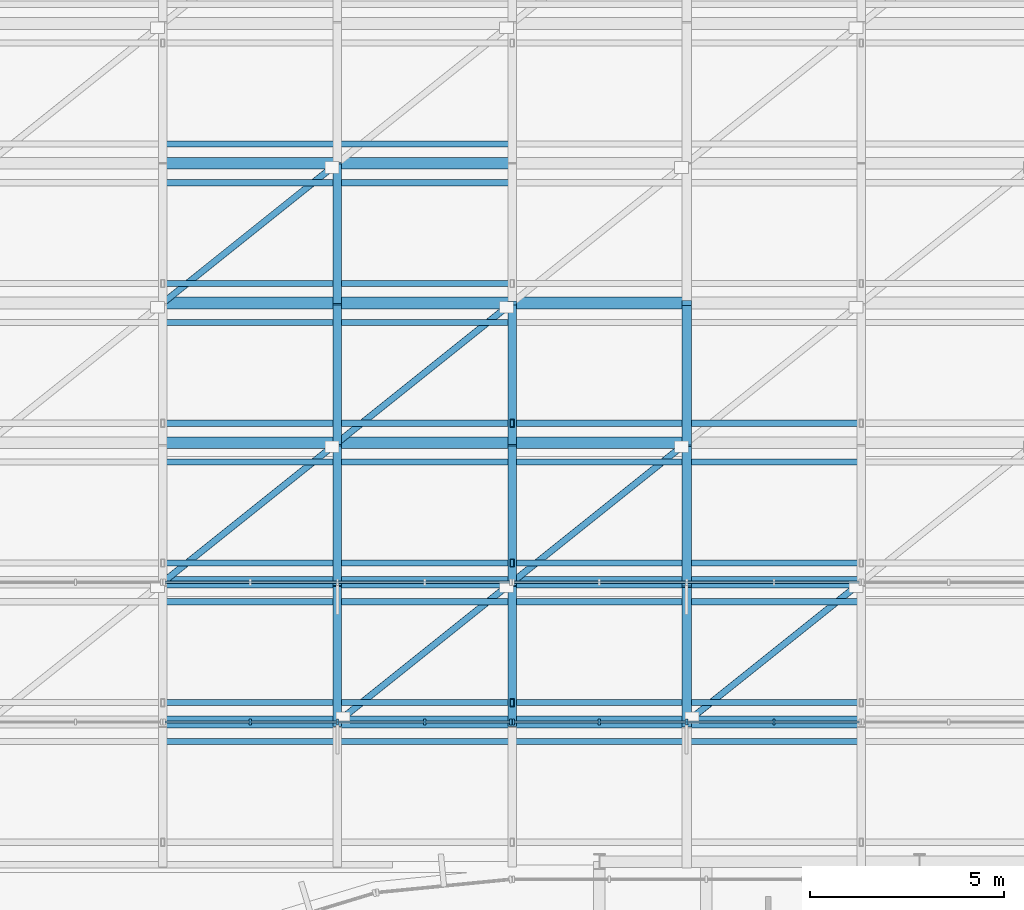
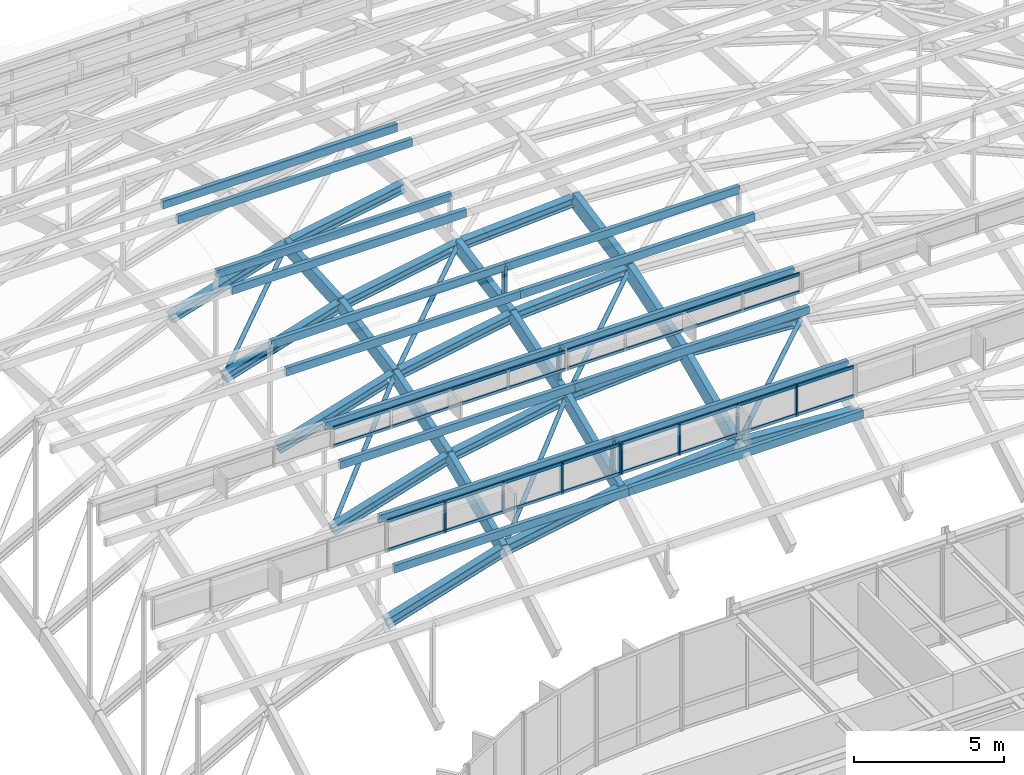
# One storey, part 20 of 69: 41 members, 26 beams, 4 elements without a shape of their own.
"""IFC4 building model written with IfcOpenShell, lengths in metres."""

from ifc_helpers import new_model, si_unit, direction, frame, origin, origin_2d, place, context, subcontext, project, spatial, rectangle, hollow_rectangle, hollow_circle, i_section, extrude, material, layer, layer_set, material_profile, profile_set, type_object, element, aggregate, save


model = new_model("IFC4")

# Units and contexts
model_context = context("Model", 3, precision=1e-05, world=origin(), true_north=direction((0.0, 1.0)))
body_context = subcontext(model_context, "Body", "Model", "MODEL_VIEW")
ifc_project = project(units=[si_unit("LENGTHUNIT", "METRE"), si_unit("AREAUNIT", "SQUARE_METRE"), si_unit("VOLUMEUNIT", "CUBIC_METRE"), si_unit("PLANEANGLEUNIT", "RADIAN"), si_unit("MASSUNIT", "GRAM", prefix="KILO")], contexts=[model_context])

# Site, building, storey
site_placement = place(None, origin())
site = spatial("IfcSite", under=ifc_project, at=site_placement, CompositionType="ELEMENT")
building_placement = place(site_placement, origin())
building = spatial("IfcBuilding", under=site, at=building_placement, Name="Montealbar Specialist Clinic", CompositionType="ELEMENT")
storey_placement = place(building_placement, frame((0.0, 0.0, 9.60009765625)))
storey = spatial("IfcBuildingStorey", under=building, at=storey_placement, Name="L02", CompositionType="ELEMENT", Elevation=9.60009765625)

# Beams
ifc_material_1 = material(Name="Steel S355", Category="steel")
ifc_material_profile_1 = material_profile(ifc_material_1, i_section(OverallWidth=0.300048828125, OverallDepth=0.360107421875, WebThickness=0.012451171875, FlangeThickness=0.0224609375, FilletRadius=0.027099609375, at=origin_2d()), Name="HEB 360", Category="steel")
ifc_profile_set_1 = profile_set([ifc_material_profile_1], Name="Steel S355")
beam_type_1 = type_object("IfcBeamType", Name="BM-GIRD-HEB360-EXT", PredefinedType="BEAM", material=ifc_profile_set_1)
beam_1_placement = place(storey_placement, frame((63.0, 52.199951171875, 6.643798828125), z_axis=(0.955697132972, 0.0, 0.294351813362), x_axis=(0.0, 1.0, 0.0)))
element("IfcBeam", 1, at=beam_1_placement, inside=storey, type_object=beam_type_1, Name="Gridshell Roof Truss Arch Rib X 2-2", PredefinedType="BEAM", context=body_context, shape_type="SweptSolid", body=[
    extrude(i_section(OverallWidth=0.300048828125, OverallDepth=0.360107421875, WebThickness=0.012451171875, FlangeThickness=0.0224609375, FilletRadius=0.027099609375, at=origin_2d()), origin(), (0.0, 0.0, 1.0), 4.70849609375),
])
beam_2_placement = place(storey_placement, frame((67.5, 52.199951171875, 8.02978515625), z_axis=(0.983332910059, 0.0, 0.181814157849), x_axis=(0.0, 1.0, 0.0)))
element("IfcBeam", 2, at=beam_2_placement, inside=storey, type_object=beam_type_1, Name="Gridshell Roof Truss Arch Rib X 2-3", PredefinedType="BEAM", context=body_context, shape_type="SweptSolid", body=[
    extrude(i_section(OverallWidth=0.300048828125, OverallDepth=0.360107421875, WebThickness=0.012451171875, FlangeThickness=0.0224609375, FilletRadius=0.027099609375, at=origin_2d()), origin(), (0.0, 0.0, 1.0), 4.576171875),
])
for number, where, z_axis, x_axis, name in (
    (3, (72.0, 52.199951171875, 8.86181640625), (0.998109468696, 0.0, 0.06146127642), (0.0, 1.0, 0.0), "Gridshell Roof Truss Arch Rib X 2-4"),
    (4, (76.5, 52.199951171875, 9.138916015625), (0.998109468696, 0.0, -0.06146127642), (0.0, 1.0, 0.0), "Gridshell Roof Truss Arch Rib X 2-5"),
):
    element("IfcBeam", number, at=place(storey_placement, frame(where, z_axis=z_axis, x_axis=x_axis)), inside=storey, type_object=beam_type_1, Name=name, PredefinedType="BEAM", context=body_context, shape_type="SweptSolid", body=[
        extrude(i_section(OverallWidth=0.300048828125, OverallDepth=0.360107421875, WebThickness=0.012451171875, FlangeThickness=0.0224609375, FilletRadius=0.027099609375, at=origin_2d()), origin(), (0.0, 0.0, 1.0), 4.508544921875),
    ])
beam_3_placement = place(storey_placement, frame((63.0, 55.800048828125, 7.77783203125), z_axis=(0.955697132972, 0.0, 0.294351813362), x_axis=(0.0, 1.0, 0.0)))
element("IfcBeam", 5, at=beam_3_placement, inside=storey, type_object=beam_type_1, Name="Gridshell Roof Truss Arch Rib X 3-2", PredefinedType="BEAM", context=body_context, shape_type="SweptSolid", body=[
    extrude(i_section(OverallWidth=0.300048828125, OverallDepth=0.360107421875, WebThickness=0.012451171875, FlangeThickness=0.0224609375, FilletRadius=0.027099609375, at=origin_2d()), origin(), (0.0, 0.0, 1.0), 4.70849609375),
])
beam_4_placement = place(storey_placement, frame((67.5, 55.800048828125, 9.163818359375), z_axis=(0.983332910059, 0.0, 0.181814157849), x_axis=(0.0, 1.0, 0.0)))
element("IfcBeam", 6, at=beam_4_placement, inside=storey, type_object=beam_type_1, Name="Gridshell Roof Truss Arch Rib X 3-3", PredefinedType="BEAM", context=body_context, shape_type="SweptSolid", body=[
    extrude(i_section(OverallWidth=0.300048828125, OverallDepth=0.360107421875, WebThickness=0.012451171875, FlangeThickness=0.0224609375, FilletRadius=0.027099609375, at=origin_2d()), origin(), (0.0, 0.0, 1.0), 4.576171875),
])
beam_5_placement = place(storey_placement, frame((72.0, 55.800048828125, 9.995849609375), z_axis=(0.998109468696, 0.0, 0.06146127642), x_axis=(0.0, 1.0, 0.0)))
element("IfcBeam", 7, at=beam_5_placement, inside=storey, type_object=beam_type_1, Name="Gridshell Roof Truss Arch Rib X 3-4", PredefinedType="BEAM", context=body_context, shape_type="SweptSolid", body=[
    extrude(i_section(OverallWidth=0.300048828125, OverallDepth=0.360107421875, WebThickness=0.012451171875, FlangeThickness=0.0224609375, FilletRadius=0.027099609375, at=origin_2d()), origin(), (0.0, 0.0, 1.0), 4.508544921875),
])
beam_6_placement = place(storey_placement, frame((63.0, 59.39990234375, 8.4580078125), z_axis=(0.955697132972, 0.0, 0.294351813362), x_axis=(0.0, 1.0, 0.0)))
element("IfcBeam", 8, at=beam_6_placement, inside=storey, type_object=beam_type_1, Name="Gridshell Roof Truss Arch Rib X 4-2", PredefinedType="BEAM", context=body_context, shape_type="SweptSolid", body=[
    extrude(i_section(OverallWidth=0.300048828125, OverallDepth=0.360107421875, WebThickness=0.012451171875, FlangeThickness=0.0224609375, FilletRadius=0.027099609375, at=origin_2d()), origin(), (0.0, 0.0, 1.0), 4.70849609375),
])
beam_7_placement = place(storey_placement, frame((67.5, 59.39990234375, 9.843994140625), z_axis=(0.983342446778, 0.0, 0.181762571407), x_axis=(0.0, 1.0, 0.0)))
element("IfcBeam", 9, at=beam_7_placement, inside=storey, type_object=beam_type_1, Name="Gridshell Roof Truss Arch Rib X 4-3", PredefinedType="BEAM", context=body_context, shape_type="SweptSolid", body=[
    extrude(i_section(OverallWidth=0.300048828125, OverallDepth=0.360107421875, WebThickness=0.012451171875, FlangeThickness=0.0224609375, FilletRadius=0.027099609375, at=origin_2d()), origin(), (0.0, 0.0, 1.0), 4.576171875),
])
beam_8_placement = place(storey_placement, frame((72.0, 59.39990234375, 10.67578125), z_axis=(0.998109468696, 0.0, 0.06146127642), x_axis=(0.0, 1.0, 0.0)))
element("IfcBeam", 10, at=beam_8_placement, inside=storey, type_object=beam_type_1, Name="Gridshell Roof Truss Arch Rib X 4-4", PredefinedType="BEAM", context=body_context, shape_type="SweptSolid", body=[
    extrude(i_section(OverallWidth=0.300048828125, OverallDepth=0.360107421875, WebThickness=0.012451171875, FlangeThickness=0.0224609375, FilletRadius=0.027099609375, at=origin_2d()), origin(), (0.0, 0.0, 1.0), 4.508544921875),
])
beam_9_placement = place(storey_placement, frame((63.0, 63.0, 8.684814453125), z_axis=(0.955697132972, 0.0, 0.294351813362), x_axis=(0.0, 1.0, 0.0)))
element("IfcBeam", 11, at=beam_9_placement, inside=storey, type_object=beam_type_1, Name="Gridshell Roof Truss Arch Rib X 5-2", PredefinedType="BEAM", context=body_context, shape_type="SweptSolid", body=[
    extrude(i_section(OverallWidth=0.300048828125, OverallDepth=0.360107421875, WebThickness=0.012451171875, FlangeThickness=0.0224609375, FilletRadius=0.027099609375, at=origin_2d()), origin(), (0.0, 0.0, 1.0), 4.70849609375),
])
beam_10_placement = place(storey_placement, frame((67.5, 63.0, 10.07080078125), z_axis=(0.983332910059, 0.0, 0.181814157849), x_axis=(0.0, 1.0, 0.0)))
element("IfcBeam", 12, at=beam_10_placement, inside=storey, type_object=beam_type_1, Name="Gridshell Roof Truss Arch Rib X 5-3", PredefinedType="BEAM", context=body_context, shape_type="SweptSolid", body=[
    extrude(i_section(OverallWidth=0.300048828125, OverallDepth=0.360107421875, WebThickness=0.012451171875, FlangeThickness=0.0224609375, FilletRadius=0.027099609375, at=origin_2d()), origin(), (0.0, 0.0, 1.0), 4.576171875),
])
ifc_material_profile_2 = material_profile(ifc_material_1, i_section(OverallWidth=0.300048828125, OverallDepth=0.39990234375, WebThickness=0.013427734375, FlangeThickness=0.02392578125, FilletRadius=0.027099609375, at=origin_2d()), Name="HEB 400", Category="steel")
ifc_profile_set_2 = profile_set([ifc_material_profile_2], Name="Steel S355")
beam_type_2 = type_object("IfcBeamType", Name="BM-GIRD-HEB400-EXT", PredefinedType="BEAM", material=ifc_profile_set_2)
beam_11_placement = place(storey_placement, frame((63.0, 48.60009765625, 5.055908203125), z_axis=(0.955697132972, 0.0, 0.294351813362), x_axis=(0.0, 1.0, 0.0)))
element("IfcBeam", 13, at=beam_11_placement, inside=storey, type_object=beam_type_2, Name="Gridshell Roof Truss Arch Rib X 1-2", PredefinedType="BEAM", context=body_context, shape_type="SweptSolid", body=[
    extrude(i_section(OverallWidth=0.300048828125, OverallDepth=0.39990234375, WebThickness=0.013427734375, FlangeThickness=0.02392578125, FilletRadius=0.027099609375, at=origin_2d()), origin(), (0.0, 0.0, 1.0), 4.70849609375),
])
beam_12_placement = place(storey_placement, frame((67.5, 48.60009765625, 6.44189453125), z_axis=(0.983332910059, 0.0, 0.181814157849), x_axis=(0.0, 1.0, 0.0)))
element("IfcBeam", 14, at=beam_12_placement, inside=storey, type_object=beam_type_2, Name="Gridshell Roof Truss Arch Rib X 1-3", PredefinedType="BEAM", context=body_context, shape_type="SweptSolid", body=[
    extrude(i_section(OverallWidth=0.300048828125, OverallDepth=0.39990234375, WebThickness=0.013427734375, FlangeThickness=0.02392578125, FilletRadius=0.027099609375, at=origin_2d()), origin(), (0.0, 0.0, 1.0), 4.576171875),
])
for number, where, z_axis, x_axis, name in (
    (15, (72.0, 48.60009765625, 7.27392578125), (0.998112789141, 0.0, 0.061407329801), (0.0, 1.0, 0.0), "Gridshell Roof Truss Arch Rib X 1-4"),
    (16, (76.5, 48.60009765625, 7.55078125), (0.998112789141, 0.0, -0.061407329801), (0.0, 1.0, 0.0), "Gridshell Roof Truss Arch Rib X 1-5"),
):
    element("IfcBeam", number, at=place(storey_placement, frame(where, z_axis=z_axis, x_axis=x_axis)), inside=storey, type_object=beam_type_2, Name=name, PredefinedType="BEAM", context=body_context, shape_type="SweptSolid", body=[
        extrude(i_section(OverallWidth=0.300048828125, OverallDepth=0.39990234375, WebThickness=0.013427734375, FlangeThickness=0.02392578125, FilletRadius=0.027099609375, at=origin_2d()), origin(), (0.0, 0.0, 1.0), 4.508544921875),
    ])
ifc_material_2 = material(Name="Glulam GL28h", Category="wood")
ifc_material_profile_3 = material_profile(ifc_material_2, rectangle(XDim=0.219970703125, YDim=0.56005859375, at=origin_2d()), Name="GL28h 220x560", Category="wood")
ifc_profile_set_3 = profile_set([ifc_material_profile_3], Name="Glulam GL28h")
beam_type_3 = type_object("IfcBeamType", Name="BM-GL-220x560-EXT", PredefinedType="BEAM", material=ifc_profile_set_3)
beam_13_placement = place(storey_placement, frame((67.5, 48.60009765625, 6.44189453125), z_axis=(0.0, 0.914944084874, 0.403580625841), x_axis=(-1.0, 0.0, 0.0)))
element("IfcBeam", 17, at=beam_13_placement, inside=storey, type_object=beam_type_3, Name="Gridshell Glulam Roof Truss Rib Y 3-1", PredefinedType="BEAM", context=body_context, shape_type="SweptSolid", body=[
    extrude(rectangle(XDim=0.219970703125, YDim=0.56005859375, at=origin_2d()), origin(), (0.0, 0.0, 1.0), 3.9345703125),
])
beam_14_placement = place(storey_placement, frame((67.5, 52.199951171875, 8.02978515625), z_axis=(0.0, 0.953798460342, 0.300447161826), x_axis=(-1.0, 0.0, 0.0)))
element("IfcBeam", 18, at=beam_14_placement, inside=storey, type_object=beam_type_3, Name="Gridshell Glulam Roof Truss Rib Y 3-2", PredefinedType="BEAM", context=body_context, shape_type="SweptSolid", body=[
    extrude(rectangle(XDim=0.219970703125, YDim=0.56005859375, at=origin_2d()), origin(), (0.0, 0.0, 1.0), 3.7744140625),
])
beam_15_placement = place(storey_placement, frame((67.5, 55.800048828125, 9.163818359375), z_axis=(0.0, 0.98261397186, 0.18566039509), x_axis=(-1.0, 0.0, 0.0)))
element("IfcBeam", 19, at=beam_15_placement, inside=storey, type_object=beam_type_3, Name="Gridshell Glulam Roof Truss Rib Y 3-3", PredefinedType="BEAM", context=body_context, shape_type="SweptSolid", body=[
    extrude(rectangle(XDim=0.219970703125, YDim=0.56005859375, at=origin_2d()), origin(), (0.0, 0.0, 1.0), 3.66357421875),
])
beam_16_placement = place(storey_placement, frame((67.5, 59.39990234375, 9.843994140625), z_axis=(0.0, 0.998021379395, 0.062875482264), x_axis=(-1.0, 0.0, 0.0)))
element("IfcBeam", 20, at=beam_16_placement, inside=storey, type_object=beam_type_3, Name="Gridshell Glulam Roof Truss Rib Y 3-4", PredefinedType="BEAM", context=body_context, shape_type="SweptSolid", body=[
    extrude(rectangle(XDim=0.219970703125, YDim=0.56005859375, at=origin_2d()), origin(), (0.0, 0.0, 1.0), 3.607177734375),
])
beam_17_placement = place(storey_placement, frame((72.0, 48.60009765625, 7.27392578125), z_axis=(0.0, 0.914944084874, 0.403580625841), x_axis=(-1.0, 0.0, 0.0)))
element("IfcBeam", 21, at=beam_17_placement, inside=storey, type_object=beam_type_3, Name="Gridshell Glulam Roof Truss Rib Y 4-1", PredefinedType="BEAM", context=body_context, shape_type="SweptSolid", body=[
    extrude(rectangle(XDim=0.219970703125, YDim=0.56005859375, at=origin_2d()), origin(), (0.0, 0.0, 1.0), 3.9345703125),
])
beam_18_placement = place(storey_placement, frame((72.0, 52.199951171875, 8.86181640625), z_axis=(0.0, 0.953798460342, 0.300447161826), x_axis=(-1.0, 0.0, 0.0)))
element("IfcBeam", 22, at=beam_18_placement, inside=storey, type_object=beam_type_3, Name="Gridshell Glulam Roof Truss Rib Y 4-2", PredefinedType="BEAM", context=body_context, shape_type="SweptSolid", body=[
    extrude(rectangle(XDim=0.219970703125, YDim=0.56005859375, at=origin_2d()), origin(), (0.0, 0.0, 1.0), 3.7744140625),
])
beam_19_placement = place(storey_placement, frame((72.0, 55.800048828125, 9.995849609375), z_axis=(0.0, 0.982626127294, 0.185596050493), x_axis=(-1.0, 0.0, 0.0)))
element("IfcBeam", 23, at=beam_19_placement, inside=storey, type_object=beam_type_3, Name="Gridshell Glulam Roof Truss Rib Y 4-3", PredefinedType="BEAM", context=body_context, shape_type="SweptSolid", body=[
    extrude(rectangle(XDim=0.219970703125, YDim=0.56005859375, at=origin_2d()), origin(), (0.0, 0.0, 1.0), 3.66357421875),
])
ifc_material_profile_4 = material_profile(ifc_material_2, rectangle(XDim=0.239990234375, YDim=0.639892578125, at=origin_2d()), Name="GL28h 240x640", Category="wood")
ifc_profile_set_4 = profile_set([ifc_material_profile_4], Name="Glulam GL28h")
beam_type_4 = type_object("IfcBeamType", Name="BM-GL-240x640-EXT", PredefinedType="BEAM", material=ifc_profile_set_4)
beam_20_placement = place(storey_placement, frame((76.5, 48.60009765625, 7.55078125), z_axis=(0.0, 0.914921171359, 0.403632568307), x_axis=(-1.0, 0.0, 0.0)))
element("IfcBeam", 24, at=beam_20_placement, inside=storey, type_object=beam_type_4, Name="Gridshell Glulam Roof Truss Rib Y 5-1", PredefinedType="BEAM", context=body_context, shape_type="SweptSolid", body=[
    extrude(rectangle(XDim=0.239990234375, YDim=0.639892578125, at=origin_2d()), origin(), (0.0, 0.0, 1.0), 3.9345703125),
])
beam_21_placement = place(storey_placement, frame((76.5, 52.199951171875, 9.138916015625), z_axis=(0.0, 0.953798460342, 0.300447161826), x_axis=(-1.0, 0.0, 0.0)))
element("IfcBeam", 25, at=beam_21_placement, inside=storey, type_object=beam_type_4, Name="Gridshell Glulam Roof Truss Rib Y 5-2", PredefinedType="BEAM", context=body_context, shape_type="SweptSolid", body=[
    extrude(rectangle(XDim=0.239990234375, YDim=0.639892578125, at=origin_2d()), origin(), (0.0, 0.0, 1.0), 3.7744140625),
])
beam_22_placement = place(storey_placement, frame((76.5, 55.800048828125, 10.27294921875), z_axis=(0.0, 0.982626127294, 0.185596050493), x_axis=(-1.0, 0.0, 0.0)))
element("IfcBeam", 26, at=beam_22_placement, inside=storey, type_object=beam_type_4, Name="Gridshell Glulam Roof Truss Rib Y 5-3", PredefinedType="BEAM", context=body_context, shape_type="SweptSolid", body=[
    extrude(rectangle(XDim=0.239990234375, YDim=0.639892578125, at=origin_2d()), origin(), (0.0, 0.0, 1.0), 3.66357421875),
])

# Curtain wall, members
ifc_material_3 = material(Name="Low-E double glazing", Category="glass")
ifc_layer_1 = layer(ifc_material_3, 0.199951171875, Name="Low-E double glazing", Category="glass")
ifc_layer_set_1 = layer_set([ifc_layer_1], Name="Low-E double glazing")
curtain_wall_type_1 = type_object("IfcCurtainWallType", Name="CW-TYPE-47", PredefinedType="NOTDEFINED", material=ifc_layer_set_1)
curtain_wall_1_placement = place(storey_placement, origin())
curtain_wall_1 = element("IfcCurtainWall", 27, at=curtain_wall_1_placement, inside=storey, type_object=curtain_wall_type_1, Name="Unitised Curtain Wall CW-L02-630-486-720-486-175", PredefinedType="NOTDEFINED")
ifc_material_4 = material(Name="Anodised aluminium EN AW-6063", Category="aluminium")
ifc_material_profile_5 = material_profile(ifc_material_4, rectangle(XDim=0.06005859375, YDim=0.159912109375, at=origin_2d()), Name="ALU 60x160", Category="aluminium")
ifc_profile_set_5 = profile_set([ifc_material_profile_5], Name="Anodised aluminium EN AW-6063")
member_type_1 = type_object("IfcMemberType", Name="CW-MUL-160", PredefinedType="MULLION", material=ifc_profile_set_5)
member_1_placement = place(storey_placement, frame((65.25, 48.60009765625, 7.933837890625), z_axis=(0.0, 0.0, 1.0), x_axis=(1.0, 0.0, 0.0)))
member_1 = element("IfcMember", 28, at=member_1_placement, type_object=member_type_1, Name="Curtain Wall Mullion CW-L02-630-486-720-486-175-01", PredefinedType="MULLION", context=body_context, shape_type="SweptSolid", body=[
    extrude(rectangle(XDim=0.06005859375, YDim=0.159912109375, at=origin_2d()), origin(), (0.0, 0.0, 1.0), 1.257080078125),
])
member_2_placement = place(storey_placement, frame((67.5, 48.60009765625, 7.933837890625), z_axis=(0.0, 0.0, 1.0), x_axis=(1.0, 0.0, 0.0)))
member_2 = element("IfcMember", 29, at=member_2_placement, type_object=member_type_1, Name="Curtain Wall Mullion CW-L02-630-486-720-486-175-02", PredefinedType="MULLION", context=body_context, shape_type="SweptSolid", body=[
    extrude(rectangle(XDim=0.06005859375, YDim=0.159912109375, at=origin_2d()), origin(), (0.0, 0.0, 1.0), 1.257080078125),
])
member_3_placement = place(storey_placement, frame((69.75, 48.60009765625, 7.933837890625), z_axis=(0.0, 0.0, 1.0), x_axis=(1.0, 0.0, 0.0)))
member_3 = element("IfcMember", 30, at=member_3_placement, type_object=member_type_1, Name="Curtain Wall Mullion CW-L02-630-486-720-486-175-03", PredefinedType="MULLION", context=body_context, shape_type="SweptSolid", body=[
    extrude(rectangle(XDim=0.06005859375, YDim=0.159912109375, at=origin_2d()), origin(), (0.0, 0.0, 1.0), 1.257080078125),
])
member_4_placement = place(storey_placement, frame((71.965087890625, 48.60009765625, 7.933837890625), z_axis=(0.0, 0.0, 1.0), x_axis=(1.0, 0.0, 0.0)))
member_4 = element("IfcMember", 31, at=member_4_placement, type_object=member_type_1, Name="Curtain Wall Mullion CW-L02-630-486-720-486-175-04", PredefinedType="MULLION", context=body_context, shape_type="SweptSolid", body=[
    extrude(rectangle(XDim=0.06005859375, YDim=0.159912109375, at=origin_2d()), origin(), (0.0, 0.0, 1.0), 1.257080078125),
])

curtain_wall_2_placement = place(storey_placement, origin())
curtain_wall_2 = element("IfcCurtainWall", 32, at=curtain_wall_2_placement, inside=storey, type_object=curtain_wall_type_1, Name="Unitised Curtain Wall CW-L02-720-486-810-486-175", PredefinedType="NOTDEFINED")
member_5_placement = place(storey_placement, frame((72.034912109375, 48.60009765625, 7.933837890625), z_axis=(0.0, 0.0, 1.0), x_axis=(1.0, 0.0, 0.0)))
member_5 = element("IfcMember", 33, at=member_5_placement, type_object=member_type_1, Name="Curtain Wall Mullion CW-L02-720-486-810-486-175-00", PredefinedType="MULLION", context=body_context, shape_type="SweptSolid", body=[
    extrude(rectangle(XDim=0.06005859375, YDim=0.159912109375, at=origin_2d()), origin(), (0.0, 0.0, 1.0), 1.257080078125),
])
member_6_placement = place(storey_placement, frame((74.25, 48.60009765625, 7.933837890625), z_axis=(0.0, 0.0, 1.0), x_axis=(1.0, 0.0, 0.0)))
member_6 = element("IfcMember", 34, at=member_6_placement, type_object=member_type_1, Name="Curtain Wall Mullion CW-L02-720-486-810-486-175-01", PredefinedType="MULLION", context=body_context, shape_type="SweptSolid", body=[
    extrude(rectangle(XDim=0.06005859375, YDim=0.159912109375, at=origin_2d()), origin(), (0.0, 0.0, 1.0), 1.257080078125),
])
member_7_placement = place(storey_placement, frame((76.5, 48.60009765625, 7.933837890625), z_axis=(0.0, 0.0, 1.0), x_axis=(1.0, 0.0, 0.0)))
member_7 = element("IfcMember", 35, at=member_7_placement, type_object=member_type_1, Name="Curtain Wall Mullion CW-L02-720-486-810-486-175-02", PredefinedType="MULLION", context=body_context, shape_type="SweptSolid", body=[
    extrude(rectangle(XDim=0.06005859375, YDim=0.159912109375, at=origin_2d()), origin(), (0.0, 0.0, 1.0), 1.257080078125),
])
member_8_placement = place(storey_placement, frame((78.75, 48.60009765625, 7.933837890625), z_axis=(0.0, 0.0, 1.0), x_axis=(1.0, 0.0, 0.0)))
member_8 = element("IfcMember", 36, at=member_8_placement, type_object=member_type_1, Name="Curtain Wall Mullion CW-L02-720-486-810-486-175-03", PredefinedType="MULLION", context=body_context, shape_type="SweptSolid", body=[
    extrude(rectangle(XDim=0.06005859375, YDim=0.159912109375, at=origin_2d()), origin(), (0.0, 0.0, 1.0), 1.257080078125),
])

# Member
ifc_material_5 = material(Name="Powder-coated aluminium", Category="aluminium")
ifc_material_profile_6 = material_profile(ifc_material_5, rectangle(XDim=0.06005859375, YDim=0.1201171875, at=origin_2d()), Name="ALU 60x120", Category="aluminium")
ifc_profile_set_6 = profile_set([ifc_material_profile_6], Name="Powder-coated aluminium")
member_type_2 = type_object("IfcMemberType", Name="CW-TRN-120", PredefinedType="USERDEFINED", material=ifc_profile_set_6)
member_9_placement = place(storey_placement, frame((63.050048828125, 48.60009765625, 7.973876953125), z_axis=(1.0, 0.0, 0.0), x_axis=(0.0, 1.0, 0.0)))
member_9 = element("IfcMember", 37, at=member_9_placement, type_object=member_type_2, Name="Curtain Wall Transom CW-L02-630-486-720-486-175-00", ObjectType="TRANSOM", PredefinedType="USERDEFINED", context=body_context, shape_type="SweptSolid", body=[
    extrude(rectangle(XDim=0.06005859375, YDim=0.1201171875, at=origin_2d()), origin(), (0.0, 0.0, 1.0), 8.89990234375),
])

member_10_placement = place(storey_placement, frame((63.050048828125, 48.60009765625, 9.15087890625), z_axis=(1.0, 0.0, 0.0), x_axis=(0.0, 1.0, 0.0)))
member_10 = element("IfcMember", 38, at=member_10_placement, type_object=member_type_2, Name="Curtain Wall Transom CW-L02-630-486-720-486-175-01", ObjectType="TRANSOM", PredefinedType="USERDEFINED", context=body_context, shape_type="SweptSolid", body=[
    extrude(rectangle(XDim=0.06005859375, YDim=0.1201171875, at=origin_2d()), origin(), (0.0, 0.0, 1.0), 8.89990234375),
])

aggregate(curtain_wall_1, [member_1, member_2, member_3, member_4, member_9, member_10])

member_11_placement = place(storey_placement, frame((72.050048828125, 48.60009765625, 7.973876953125), z_axis=(1.0, 0.0, 0.0), x_axis=(0.0, 1.0, 0.0)))
member_11 = element("IfcMember", 39, at=member_11_placement, type_object=member_type_2, Name="Curtain Wall Transom CW-L02-720-486-810-486-175-00", ObjectType="TRANSOM", PredefinedType="USERDEFINED", context=body_context, shape_type="SweptSolid", body=[
    extrude(rectangle(XDim=0.06005859375, YDim=0.1201171875, at=origin_2d()), origin(), (0.0, 0.0, 1.0), 8.89990234375),
])

member_12_placement = place(storey_placement, frame((72.050048828125, 48.60009765625, 9.15087890625), z_axis=(1.0, 0.0, 0.0), x_axis=(0.0, 1.0, 0.0)))
member_12 = element("IfcMember", 40, at=member_12_placement, type_object=member_type_2, Name="Curtain Wall Transom CW-L02-720-486-810-486-175-01", ObjectType="TRANSOM", PredefinedType="USERDEFINED", context=body_context, shape_type="SweptSolid", body=[
    extrude(rectangle(XDim=0.06005859375, YDim=0.1201171875, at=origin_2d()), origin(), (0.0, 0.0, 1.0), 8.89990234375),
])

aggregate(curtain_wall_2, [member_5, member_6, member_7, member_8, member_11, member_12])

# Curtain wall, members
ifc_layer_2 = layer(ifc_material_3, 0.199951171875, Name="Low-E double glazing", Category="glass")
ifc_layer_set_2 = layer_set([ifc_layer_2], Name="Low-E double glazing")
curtain_wall_type_2 = type_object("IfcCurtainWallType", Name="CW-TYPE-48", PredefinedType="NOTDEFINED", material=ifc_layer_set_2)
curtain_wall_3_placement = place(storey_placement, origin())
curtain_wall_3 = element("IfcCurtainWall", 41, at=curtain_wall_3_placement, inside=storey, type_object=curtain_wall_type_2, Name="Unitised Curtain Wall CW-L02-630-522-720-522-196", PredefinedType="NOTDEFINED")
member_13_placement = place(storey_placement, frame((63.050048828125, 52.199951171875, 10.014892578125), z_axis=(1.0, 0.0, 0.0), x_axis=(0.0, 1.0, 0.0)))
member_13 = element("IfcMember", 42, at=member_13_placement, type_object=member_type_2, Name="Curtain Wall Transom CW-L02-630-522-720-522-196-00", ObjectType="TRANSOM", PredefinedType="USERDEFINED", context=body_context, shape_type="SweptSolid", body=[
    extrude(rectangle(XDim=0.06005859375, YDim=0.1201171875, at=origin_2d()), origin(), (0.0, 0.0, 1.0), 8.89990234375),
])
member_14_placement = place(storey_placement, frame((63.050048828125, 52.199951171875, 10.739013671875), z_axis=(1.0, 0.0, 0.0), x_axis=(0.0, 1.0, 0.0)))
member_14 = element("IfcMember", 43, at=member_14_placement, type_object=member_type_2, Name="Curtain Wall Transom CW-L02-630-522-720-522-196-01", ObjectType="TRANSOM", PredefinedType="USERDEFINED", context=body_context, shape_type="SweptSolid", body=[
    extrude(rectangle(XDim=0.06005859375, YDim=0.1201171875, at=origin_2d()), origin(), (0.0, 0.0, 1.0), 8.89990234375),
])
aggregate(curtain_wall_3, [member_13, member_14])

curtain_wall_4_placement = place(storey_placement, origin())
curtain_wall_4 = element("IfcCurtainWall", 44, at=curtain_wall_4_placement, inside=storey, type_object=curtain_wall_type_2, Name="Unitised Curtain Wall CW-L02-720-522-810-522-196", PredefinedType="NOTDEFINED")
member_15_placement = place(storey_placement, frame((72.050048828125, 52.199951171875, 10.014892578125), z_axis=(1.0, 0.0, 0.0), x_axis=(0.0, 1.0, 0.0)))
member_15 = element("IfcMember", 45, at=member_15_placement, type_object=member_type_2, Name="Curtain Wall Transom CW-L02-720-522-810-522-196-00", ObjectType="TRANSOM", PredefinedType="USERDEFINED", context=body_context, shape_type="SweptSolid", body=[
    extrude(rectangle(XDim=0.06005859375, YDim=0.1201171875, at=origin_2d()), origin(), (0.0, 0.0, 1.0), 8.89990234375),
])
member_16_placement = place(storey_placement, frame((72.050048828125, 52.199951171875, 10.739013671875), z_axis=(1.0, 0.0, 0.0), x_axis=(0.0, 1.0, 0.0)))
member_16 = element("IfcMember", 46, at=member_16_placement, type_object=member_type_2, Name="Curtain Wall Transom CW-L02-720-522-810-522-196-01", ObjectType="TRANSOM", PredefinedType="USERDEFINED", context=body_context, shape_type="SweptSolid", body=[
    extrude(rectangle(XDim=0.06005859375, YDim=0.1201171875, at=origin_2d()), origin(), (0.0, 0.0, 1.0), 8.89990234375),
])
aggregate(curtain_wall_4, [member_15, member_16])

# Members
ifc_material_profile_7 = material_profile(ifc_material_1, hollow_circle(Radius=0.084228515625, WallThickness=0.008056640625, at=origin_2d()), Name="CHS 168.3x8.0", Category="steel")
ifc_profile_set_7 = profile_set([ifc_material_profile_7], Name="Steel S355")
member_type_3 = type_object("IfcMemberType", Name="MB-GS-DIAG-EXT", PredefinedType="BRACE", material=ifc_profile_set_7)
member_17_placement = place(storey_placement, frame((63.0, 52.199951171875, 6.643798828125), z_axis=(0.715447510632, 0.57237353471, 0.400653711195), x_axis=(-0.624705380279, 0.780860543151, 0.0)))
element("IfcMember", 47, at=member_17_placement, inside=storey, type_object=member_type_3, Name="Gridshell Roof Brace 2-2", PredefinedType="BRACE", context=body_context, shape_type="SweptSolid", body=[
    extrude(hollow_circle(Radius=0.084228515625, WallThickness=0.008056640625, at=origin_2d()), origin(), (0.0, 0.0, 1.0), 6.289794921875),
])
member_18_placement = place(storey_placement, frame((63.0, 59.39990234375, 8.4580078125), z_axis=(0.751968091685, 0.6015907921, 0.26950418911), x_axis=(-0.624705380279, 0.780860543151, 0.0)))
element("IfcMember", 48, at=member_18_placement, inside=storey, type_object=member_type_3, Name="Gridshell Roof Brace 2-4", PredefinedType="BRACE", context=body_context, shape_type="SweptSolid", body=[
    extrude(hollow_circle(Radius=0.084228515625, WallThickness=0.008056640625, at=origin_2d()), origin(), (0.0, 0.0, 1.0), 5.984375),
])
member_19_placement = place(storey_placement, frame((67.5, 48.60009765625, 6.44189453125), z_axis=(0.719977263223, 0.575958373819, 0.387175273061), x_axis=(-0.624679547852, 0.780881208953, 0.0)))
element("IfcMember", 49, at=member_19_placement, inside=storey, type_object=member_type_3, Name="Gridshell Roof Brace 3-1", PredefinedType="BRACE", context=body_context, shape_type="SweptSolid", body=[
    extrude(hollow_circle(Radius=0.084228515625, WallThickness=0.008056640625, at=origin_2d()), origin(), (0.0, 0.0, 1.0), 6.250244140625),
])
member_20_placement = place(storey_placement, frame((67.5, 55.800048828125, 9.163818359375), z_axis=(0.755316659111, 0.604228740158, 0.253780168722), x_axis=(-0.624679547852, 0.780881208953, 0.0)))
element("IfcMember", 50, at=member_20_placement, inside=storey, type_object=member_type_3, Name="Gridshell Roof Brace 3-3", PredefinedType="BRACE", context=body_context, shape_type="SweptSolid", body=[
    extrude(hollow_circle(Radius=0.084228515625, WallThickness=0.008056640625, at=origin_2d()), origin(), (0.0, 0.0, 1.0), 5.957763671875),
])
member_21_placement = place(storey_placement, frame((72.0, 52.199951171875, 8.86181640625), z_axis=(0.75845330993, 0.606779107434, 0.237839633865), x_axis=(-0.624705380279, 0.780860543151, 0.0)))
element("IfcMember", 51, at=member_21_placement, inside=storey, type_object=member_type_3, Name="Gridshell Roof Brace 4-2", PredefinedType="BRACE", context=body_context, shape_type="SweptSolid", body=[
    extrude(hollow_circle(Radius=0.084228515625, WallThickness=0.008056640625, at=origin_2d()), origin(), (0.0, 0.0, 1.0), 5.93310546875),
])
member_22_placement = place(storey_placement, frame((76.5, 48.60009765625, 7.55078125), z_axis=(0.761425041957, 0.609115247594, 0.22183444419), x_axis=(-0.624679547852, 0.780881208953, 0.0)))
element("IfcMember", 52, at=member_22_placement, inside=storey, type_object=member_type_3, Name="Gridshell Roof Brace 5-1", PredefinedType="BRACE", context=body_context, shape_type="SweptSolid", body=[
    extrude(hollow_circle(Radius=0.084228515625, WallThickness=0.008056640625, at=origin_2d()), origin(), (0.0, 0.0, 1.0), 5.909912109375),
])
ifc_material_profile_8 = material_profile(ifc_material_2, rectangle(XDim=0.159912109375, YDim=0.320068359375, at=origin_2d()), Name="GL28h 160x320", Category="wood")
ifc_profile_set_8 = profile_set([ifc_material_profile_8], Name="Glulam GL28h")
member_type_4 = type_object("IfcMemberType", Name="MB-GS-PURLIN-GL-EXT", PredefinedType="PURLIN", material=ifc_profile_set_8)
for number, where, z_axis, x_axis, name in (
    (53, (63.0, 48.10009765625, 7.548828125), (1.0, 0.0, 0.0), (0.0, 1.0, 0.0), "Gridshell Glulam Purlin 1-2-2"),
    (54, (72.0, 48.10009765625, 7.548828125), (1.0, 0.0, 0.0), (0.0, 1.0, 0.0), "Gridshell Glulam Purlin 1-3-2"),
    (55, (63.0, 49.10009765625, 8.9658203125), (1.0, 0.0, 0.0), (0.0, 1.0, 0.0), "Gridshell Glulam Purlin 2-2-1"),
    (56, (63.0, 51.699951171875, 9.58984375), (1.0, 0.0, 0.0), (0.0, 1.0, 0.0), "Gridshell Glulam Purlin 2-2-2"),
    (57, (72.0, 49.10009765625, 8.9658203125), (1.0, 0.0, 0.0), (0.0, 1.0, 0.0), "Gridshell Glulam Purlin 2-3-1"),
    (58, (72.0, 51.699951171875, 9.58984375), (1.0, 0.0, 0.0), (0.0, 1.0, 0.0), "Gridshell Glulam Purlin 2-3-2"),
    (59, (63.0, 52.699951171875, 10.553955078125), (1.0, 0.0, 0.0), (0.0, 1.0, 0.0), "Gridshell Glulam Purlin 3-2-1"),
    (60, (63.0, 55.300048828125, 11.177978515625), (1.0, 0.0, 0.0), (0.0, 1.0, 0.0), "Gridshell Glulam Purlin 3-2-2"),
    (61, (72.0, 52.699951171875, 10.553955078125), (1.0, 0.0, 0.0), (0.0, 1.0, 0.0), "Gridshell Glulam Purlin 3-3-1"),
    (62, (72.0, 55.300048828125, 11.177978515625), (1.0, 0.0, 0.0), (0.0, 1.0, 0.0), "Gridshell Glulam Purlin 3-3-2"),
    (63, (63.0, 56.300048828125, 11.68798828125), (1.0, 0.0, 0.0), (0.0, 1.0, 0.0), "Gridshell Glulam Purlin 4-2-1"),
    (64, (63.0, 58.89990234375, 12.31201171875), (1.0, 0.0, 0.0), (0.0, 1.0, 0.0), "Gridshell Glulam Purlin 4-2-2"),
    (65, (72.0, 56.300048828125, 11.68798828125), (1.0, 0.0, 0.0), (0.0, 1.0, 0.0), "Gridshell Glulam Purlin 4-3-1"),
    (66, (63.0, 59.89990234375, 12.367919921875), (1.0, 0.0, 0.0), (0.0, 1.0, 0.0), "Gridshell Glulam Purlin 5-2-1"),
    (67, (63.0, 62.5, 12.991943359375), (1.0, 0.0, 0.0), (0.0, 1.0, 0.0), "Gridshell Glulam Purlin 5-2-2"),
    (68, (63.0, 63.5, 12.991943359375), (1.0, 0.0, 0.0), (0.0, 1.0, 0.0), "Gridshell Glulam Purlin 6-2-1"),
):
    element("IfcMember", number, at=place(storey_placement, frame(where, z_axis=z_axis, x_axis=x_axis)), inside=storey, type_object=member_type_4, Name=name, PredefinedType="PURLIN", context=body_context, shape_type="SweptSolid", body=[
        extrude(rectangle(XDim=0.159912109375, YDim=0.320068359375, at=origin_2d()), origin(), (0.0, 0.0, 1.0), 9.0),
    ])
ifc_material_profile_9 = material_profile(ifc_material_1, hollow_rectangle(XDim=0.10009765625, YDim=0.199951171875, WallThickness=0.008056640625, at=origin_2d()), Name="RHS 200x100x8", Category="steel")
ifc_profile_set_9 = profile_set([ifc_material_profile_9], Name="Steel S355")
member_type_5 = type_object("IfcMemberType", Name="MB-GS-PURLIN-ST-EXT", PredefinedType="PURLIN", material=ifc_profile_set_9)
member_23_placement = place(storey_placement, frame((72.0, 49.10009765625, 7.27392578125), z_axis=(0.0, 0.0, 1.0), x_axis=(1.0, 0.0, 0.0)))
element("IfcMember", 69, at=member_23_placement, inside=storey, type_object=member_type_5, Name="Gridshell Monitor Post 2-4", PredefinedType="PURLIN", context=body_context, shape_type="SweptSolid", body=[
    extrude(hollow_rectangle(XDim=0.10009765625, YDim=0.199951171875, WallThickness=0.008056640625, at=origin_2d()), origin(), (0.0, 0.0, 1.0), 1.73388671875),
])
for number, where, z_axis, x_axis, name in (
    (70, (72.0, 52.699951171875, 8.86181640625), (0.0, 0.0, 1.0), (1.0, 0.0, 0.0), "Gridshell Monitor Post 3-4"),
    (71, (72.0, 56.300048828125, 9.995849609375), (0.0, 0.0, 1.0), (1.0, 0.0, 0.0), "Gridshell Monitor Post 4-4"),
):
    element("IfcMember", number, at=place(storey_placement, frame(where, z_axis=z_axis, x_axis=x_axis)), inside=storey, type_object=member_type_5, Name=name, PredefinedType="PURLIN", context=body_context, shape_type="SweptSolid", body=[
        extrude(hollow_rectangle(XDim=0.10009765625, YDim=0.199951171875, WallThickness=0.008056640625, at=origin_2d()), origin(), (0.0, 0.0, 1.0), 1.734130859375),
    ])

save(model, "model.ifc")
